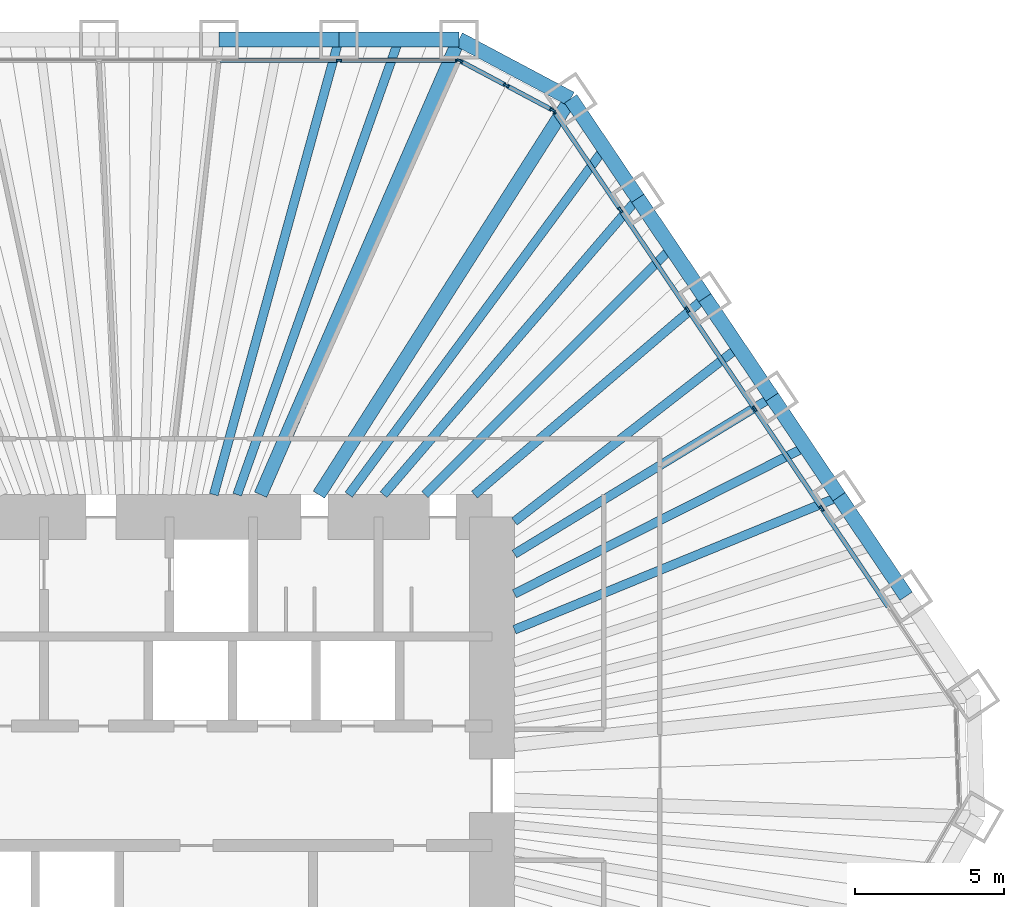
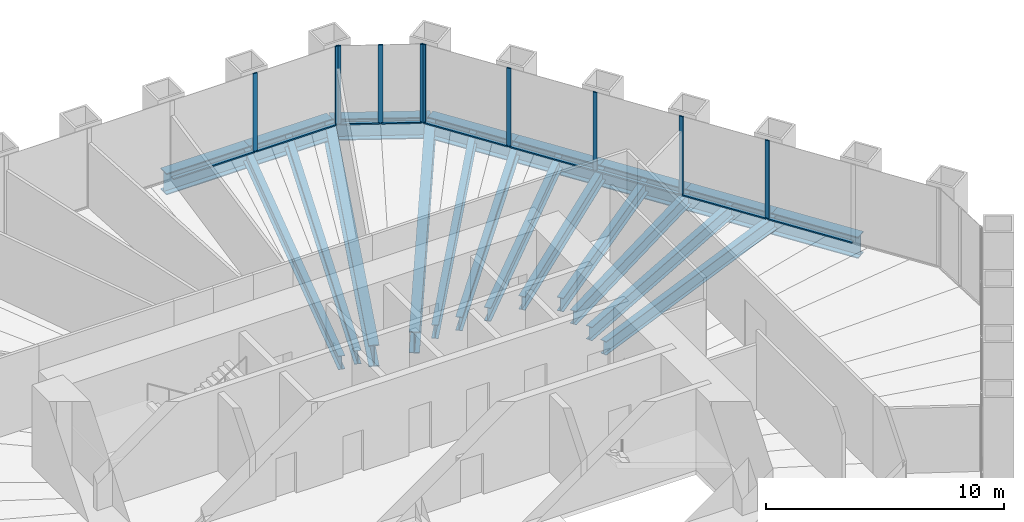
# One storey, part 7 of 13: 20 beams, 19 members, 3 elements without a shape of their own.
"""IFC4 building model written with IfcOpenShell, lengths in metres."""

from ifc_helpers import new_model, si_unit, direction, frame, origin, origin_2d, place, context, subcontext, project, spatial, rectangle, i_section, extrude, material, material_profile, profile_set, type_object, element, aggregate, save


model = new_model("IFC4")

# Units and contexts
model_context = context("Model", 3, precision=1e-05, world=origin(), true_north=direction((0.0, 1.0)))
body_context = subcontext(model_context, "Body", "Model", "MODEL_VIEW")
ifc_project = project(units=[si_unit("LENGTHUNIT", "METRE"), si_unit("AREAUNIT", "SQUARE_METRE"), si_unit("VOLUMEUNIT", "CUBIC_METRE"), si_unit("PLANEANGLEUNIT", "RADIAN"), si_unit("MASSUNIT", "GRAM", prefix="KILO")], contexts=[model_context])

# Site, building, storey
site_placement = place(None, origin())
site = spatial("IfcSite", under=ifc_project, at=site_placement, CompositionType="ELEMENT")
building_placement = place(site_placement, origin())
building = spatial("IfcBuilding", under=site, at=building_placement, Name="Qingtian Harvest Tower", CompositionType="ELEMENT")
storey_placement = place(building_placement, frame((0.0, 0.0, 145.0)))
storey = spatial("IfcBuildingStorey", under=building, at=storey_placement, Name="L30", CompositionType="ELEMENT", Elevation=145.0)

# Beams
ifc_material_1 = material(Name="Steel SM570MC", Category="steel")
ifc_material_profile_1 = material_profile(ifc_material_1, i_section(OverallWidth=0.449951171875, OverallDepth=1.10009765625, WebThickness=0.02197265625, FlangeThickness=0.044921875, at=origin_2d()), Name="H1100x450x22x45")
ifc_profile_set_1 = profile_set([ifc_material_profile_1], Name="Steel SM570MC")
beam_type_1 = type_object("IfcBeamType", Name="Corner floor beam FB8 H1100x450x22x45", PredefinedType="BEAM", material=ifc_profile_set_1)
beam_1_placement = place(storey_placement, frame((10.892822265625, 25.0, -0.719970703125), z_axis=(-0.399451016538, -0.916754539333, 0.0), x_axis=(0.916754539333, -0.399451016538, 0.0)))
element("IfcBeam", 1, at=beam_1_placement, inside=storey, type_object=beam_type_1, Name="Floor beam FB8 N6", PredefinedType="BEAM", context=body_context, shape_type="SweptSolid", body=[
    extrude(i_section(OverallWidth=0.449951171875, OverallDepth=1.10009765625, WebThickness=0.02197265625, FlangeThickness=0.044921875, at=origin_2d()), origin(), (0.0, 0.0, 1.0), 16.634765625),
])
beam_2_placement = place(storey_placement, frame((14.634765625, 23.01025390625, -0.719970703125), z_axis=(-0.536660352939, -0.843798355997, 0.0), x_axis=(0.843798355997, -0.536660352939, 0.0)))
element("IfcBeam", 2, at=beam_2_placement, inside=storey, type_object=beam_type_1, Name="Floor beam FB8 NE0", PredefinedType="BEAM", context=body_context, shape_type="SweptSolid", body=[
    extrude(i_section(OverallWidth=0.449951171875, OverallDepth=1.10009765625, WebThickness=0.02197265625, FlangeThickness=0.044921875, at=origin_2d()), origin(), (0.0, 0.0, 1.0), 15.71484375),
])
ifc_material_2 = material(Name="Steel SN490B", Category="steel")
ifc_material_profile_2 = material_profile(ifc_material_2, i_section(OverallWidth=0.300048828125, OverallDepth=0.699951171875, WebThickness=0.012939453125, FlangeThickness=0.02392578125, at=origin_2d()), Name="H700x300x13x24")
ifc_profile_set_2 = profile_set([ifc_material_profile_2], Name="Steel SN490B")
beam_type_2 = type_object("IfcBeamType", Name="Floor beam FB2 H700x300x13x24", PredefinedType="BEAM", material=ifc_profile_set_2)
beam_3_placement = place(storey_placement, frame((6.873779296875, 25.0, -0.52001953125), z_axis=(-0.265119170108, -0.964215653078, 0.0), x_axis=(0.964215653078, -0.265119170108, 0.0)))
element("IfcBeam", 3, at=beam_3_placement, inside=storey, type_object=beam_type_2, Name="Floor beam FB2 N5", PredefinedType="BEAM", context=body_context, shape_type="SweptSolid", body=[
    extrude(i_section(OverallWidth=0.300048828125, OverallDepth=0.699951171875, WebThickness=0.012939453125, FlangeThickness=0.02392578125, at=origin_2d()), origin(), (0.0, 0.0, 1.0), 15.81591796875),
])
beam_4_placement = place(storey_placement, frame((16.88232421875, 19.67822265625, -0.52001953125), z_axis=(-0.651140196702, -0.758957471957, 0.0), x_axis=(0.758957471957, -0.651140196702, 0.0)))
element("IfcBeam", 4, at=beam_4_placement, inside=storey, type_object=beam_type_2, Name="Floor beam FB2 NE1", PredefinedType="BEAM", context=body_context, shape_type="SweptSolid", body=[
    extrude(i_section(OverallWidth=0.300048828125, OverallDepth=0.699951171875, WebThickness=0.012939453125, FlangeThickness=0.02392578125, at=origin_2d()), origin(), (0.0, 0.0, 1.0), 13.081298828125),
])
beam_5_placement = place(storey_placement, frame((19.129638671875, 16.346435546875, -0.52001953125), z_axis=(-0.760241810635, -0.649640199928, 0.0), x_axis=(0.649640199928, -0.760241810635, 0.0)))
element("IfcBeam", 5, at=beam_5_placement, inside=storey, type_object=beam_type_2, Name="Floor beam FB2 NE2", PredefinedType="BEAM", context=body_context, shape_type="SweptSolid", body=[
    extrude(i_section(OverallWidth=0.300048828125, OverallDepth=0.699951171875, WebThickness=0.012939453125, FlangeThickness=0.02392578125, at=origin_2d()), origin(), (0.0, 0.0, 1.0), 10.154052734375),
])
beam_6_placement = place(storey_placement, frame((21.377197265625, 13.014404296875, -0.52001953125), z_axis=(-0.854160745245, -0.520009058846, 0.0), x_axis=(0.520009058846, -0.854160745245, 0.0)))
element("IfcBeam", 6, at=beam_6_placement, inside=storey, type_object=beam_type_2, Name="Floor beam FB2 NE3", PredefinedType="BEAM", context=body_context, shape_type="SweptSolid", body=[
    extrude(i_section(OverallWidth=0.300048828125, OverallDepth=0.699951171875, WebThickness=0.012939453125, FlangeThickness=0.02392578125, at=origin_2d()), origin(), (0.0, 0.0, 1.0), 10.10009765625),
])
beam_7_placement = place(storey_placement, frame((23.62451171875, 9.682373046875, -0.52001953125), z_axis=(-0.925304541163, -0.379224875375, 0.0), x_axis=(0.379224875375, -0.925304541163, 0.0)))
element("IfcBeam", 7, at=beam_7_placement, inside=storey, type_object=beam_type_2, Name="Floor beam FB2 NE4", PredefinedType="BEAM", context=body_context, shape_type="SweptSolid", body=[
    extrude(i_section(OverallWidth=0.300048828125, OverallDepth=0.699951171875, WebThickness=0.012939453125, FlangeThickness=0.02392578125, at=origin_2d()), origin(), (0.0, 0.0, 1.0), 11.75244140625),
])
ifc_material_3 = material(Name="Steel SN490B", Category="steel")
ifc_material_profile_3 = material_profile(ifc_material_3, i_section(OverallWidth=0.300048828125, OverallDepth=0.699951171875, WebThickness=0.012939453125, FlangeThickness=0.02392578125, at=origin_2d()), Name="H700x300x13x24")
ifc_profile_set_3 = profile_set([ifc_material_profile_3], Name="Steel SN490B")
beam_type_3 = type_object("IfcBeamType", Name="Floor joist J2 H700x300x13x24", PredefinedType="JOIST", material=ifc_profile_set_3)
beam_8_placement = place(storey_placement, frame((8.88330078125, 25.0, -0.52001953125), z_axis=(-0.334829909573, -0.94227858495, 0.0), x_axis=(0.94227858495, -0.334829909573, 0.0)))
element("IfcBeam", 8, at=beam_8_placement, inside=storey, type_object=beam_type_3, Name="Floor joist J2 N5", PredefinedType="JOIST", context=body_context, shape_type="SweptSolid", body=[
    extrude(i_section(OverallWidth=0.300048828125, OverallDepth=0.699951171875, WebThickness=0.012939453125, FlangeThickness=0.02392578125, at=origin_2d()), origin(), (0.0, 0.0, 1.0), 16.18408203125),
])
beam_9_placement = place(storey_placement, frame((15.758544921875, 21.34423828125, -0.52001953125), z_axis=(-0.593960386058, -0.804494288229, 0.0), x_axis=(0.804494288229, -0.593960386058, 0.0)))
element("IfcBeam", 9, at=beam_9_placement, inside=storey, type_object=beam_type_3, Name="Floor joist J2 NE0", PredefinedType="JOIST", context=body_context, shape_type="SweptSolid", body=[
    extrude(i_section(OverallWidth=0.300048828125, OverallDepth=0.699951171875, WebThickness=0.012939453125, FlangeThickness=0.02392578125, at=origin_2d()), origin(), (0.0, 0.0, 1.0), 14.411865234375),
])
beam_10_placement = place(storey_placement, frame((18.005859375, 18.012451171875, -0.52001953125), z_axis=(-0.706970932755, -0.707242603524, 0.0), x_axis=(0.707242603524, -0.706970932755, 0.0)))
element("IfcBeam", 10, at=beam_10_placement, inside=storey, type_object=beam_type_3, Name="Floor joist J2 NE1", PredefinedType="JOIST", context=body_context, shape_type="SweptSolid", body=[
    extrude(i_section(OverallWidth=0.300048828125, OverallDepth=0.699951171875, WebThickness=0.012939453125, FlangeThickness=0.02392578125, at=origin_2d()), origin(), (0.0, 0.0, 1.0), 11.6826171875),
])
beam_11_placement = place(storey_placement, frame((20.25341796875, 14.680419921875, -0.52001953125), z_axis=(-0.789641272199, -0.61356879096, 0.0), x_axis=(0.61356879096, -0.789641272199, 0.0)))
element("IfcBeam", 11, at=beam_11_placement, inside=storey, type_object=beam_type_3, Name="Floor joist J2 NE2", PredefinedType="JOIST", context=body_context, shape_type="SweptSolid", body=[
    extrude(i_section(OverallWidth=0.300048828125, OverallDepth=0.699951171875, WebThickness=0.012939453125, FlangeThickness=0.02392578125, at=origin_2d()), origin(), (0.0, 0.0, 1.0), 9.502197265625),
])
beam_12_placement = place(storey_placement, frame((22.500732421875, 11.348388671875, -0.52001953125), z_axis=(-0.892861323685, -0.450331718478, 0.0), x_axis=(0.450331718478, -0.892861323685, 0.0)))
element("IfcBeam", 12, at=beam_12_placement, inside=storey, type_object=beam_type_3, Name="Floor joist J2 NE3", PredefinedType="JOIST", context=body_context, shape_type="SweptSolid", body=[
    extrude(i_section(OverallWidth=0.300048828125, OverallDepth=0.699951171875, WebThickness=0.012939453125, FlangeThickness=0.02392578125, at=origin_2d()), origin(), (0.0, 0.0, 1.0), 10.920654296875),
])

# Curtain wall, members
ifc_material_4 = material(Name="Bronze-anodised aluminium curtain wall", Category="aluminium")
curtain_wall_type = type_object("IfcCurtainWallType", Name="Curtain wall CW4 office", PredefinedType="USERDEFINED", material=ifc_material_4)
curtain_wall_1_placement = place(storey_placement, origin())
curtain_wall_1 = element("IfcCurtainWall", 13, at=curtain_wall_1_placement, inside=storey, type_object=curtain_wall_type, Name="Curtain wall CW4 L30 N0-5", ObjectType="RECESSED CURTAIN WALL", PredefinedType="USERDEFINED")
ifc_material_5 = material(Name="Bronze-anodised aluminium mullion", Category="aluminium")
ifc_material_profile_4 = material_profile(ifc_material_5, rectangle(XDim=0.06494140625, YDim=0.199951171875, at=origin_2d()), Name="AL 65x200")
ifc_profile_set_4 = profile_set([ifc_material_profile_4], Name="Bronze-anodised aluminium mullion")
member_type_1 = type_object("IfcMemberType", Name="Mullion CWM 65x200", PredefinedType="MULLION", material=ifc_profile_set_4)
member_1_placement = place(storey_placement, frame((6.873779296875, 24.300048828125, 0.0), z_axis=(0.0, 0.0, 1.0), x_axis=(0.0, 1.0, 0.0)))
member_1 = element("IfcMember", 14, at=member_1_placement, type_object=member_type_1, Name="CW4 mullion 6", PredefinedType="MULLION", context=body_context, shape_type="SweptSolid", body=[
    extrude(rectangle(XDim=0.06494140625, YDim=0.199951171875, at=origin_2d()), origin(), (0.0, 0.0, 1.0), 4.030029296875),
])
member_2_placement = place(storey_placement, frame((10.8603515625, 24.300048828125, 0.0), z_axis=(0.0, 0.0, 1.0), x_axis=(0.0, 1.0, 0.0)))
member_2 = element("IfcMember", 15, at=member_2_placement, type_object=member_type_1, Name="CW4 mullion 7", PredefinedType="MULLION", context=body_context, shape_type="SweptSolid", body=[
    extrude(rectangle(XDim=0.06494140625, YDim=0.199951171875, at=origin_2d()), origin(), (0.0, 0.0, 1.0), 4.030029296875),
])

curtain_wall_2_placement = place(storey_placement, origin())
curtain_wall_2 = element("IfcCurtainWall", 16, at=curtain_wall_2_placement, inside=storey, type_object=curtain_wall_type, Name="Curtain wall CW4 L30 NC", ObjectType="RECESSED CURTAIN WALL", PredefinedType="USERDEFINED")
member_3_placement = place(storey_placement, frame((10.92138671875, 24.28466796875, 0.0), z_axis=(0.0, 0.0, 1.0), x_axis=(0.469471562786, 0.882947592859, 0.0)))
member_3 = element("IfcMember", 17, at=member_3_placement, type_object=member_type_1, Name="CW4 mullion 1", PredefinedType="MULLION", context=body_context, shape_type="SweptSolid", body=[
    extrude(rectangle(XDim=0.06494140625, YDim=0.199951171875, at=origin_2d()), origin(), (0.0, 0.0, 1.0), 4.030029296875),
])
member_4_placement = place(storey_placement, frame((12.4736328125, 23.45947265625, 0.0), z_axis=(0.0, 0.0, 1.0), x_axis=(0.469471562786, 0.882947592859, 0.0)))
member_4 = element("IfcMember", 18, at=member_4_placement, type_object=member_type_1, Name="CW4 mullion 2", PredefinedType="MULLION", context=body_context, shape_type="SweptSolid", body=[
    extrude(rectangle(XDim=0.06494140625, YDim=0.199951171875, at=origin_2d()), origin(), (0.0, 0.0, 1.0), 4.030029296875),
])
member_5_placement = place(storey_placement, frame((14.02587890625, 22.634033203125, 0.0), z_axis=(0.0, 0.0, 1.0), x_axis=(0.469471562786, 0.882947592859, 0.0)))
member_5 = element("IfcMember", 19, at=member_5_placement, type_object=member_type_1, Name="CW4 mullion 3", PredefinedType="MULLION", context=body_context, shape_type="SweptSolid", body=[
    extrude(rectangle(XDim=0.06494140625, YDim=0.199951171875, at=origin_2d()), origin(), (0.0, 0.0, 1.0), 4.030029296875),
])

curtain_wall_3_placement = place(storey_placement, origin())
curtain_wall_3 = element("IfcCurtainWall", 20, at=curtain_wall_3_placement, inside=storey, type_object=curtain_wall_type, Name="Curtain wall CW4 L30 NE0-5", ObjectType="RECESSED CURTAIN WALL", PredefinedType="USERDEFINED")
member_6_placement = place(storey_placement, frame((14.07275390625, 22.592041015625, 0.0), z_axis=(0.0, 0.0, 1.0), x_axis=(0.829037572555, 0.559192903471, 0.0)))
member_6 = element("IfcMember", 21, at=member_6_placement, type_object=member_type_1, Name="CW4 mullion 1", PredefinedType="MULLION", context=body_context, shape_type="SweptSolid", body=[
    extrude(rectangle(XDim=0.06494140625, YDim=0.199951171875, at=origin_2d()), origin(), (0.0, 0.0, 1.0), 4.030029296875),
])
member_7_placement = place(storey_placement, frame((16.302001953125, 19.286865234375, 0.0), z_axis=(0.0, 0.0, 1.0), x_axis=(0.829037572555, 0.559192903471, 0.0)))
member_7 = element("IfcMember", 22, at=member_7_placement, type_object=member_type_1, Name="CW4 mullion 2", PredefinedType="MULLION", context=body_context, shape_type="SweptSolid", body=[
    extrude(rectangle(XDim=0.06494140625, YDim=0.199951171875, at=origin_2d()), origin(), (0.0, 0.0, 1.0), 4.030029296875),
])
member_8_placement = place(storey_placement, frame((18.54931640625, 15.954833984375, 0.0), z_axis=(0.0, 0.0, 1.0), x_axis=(0.829037572555, 0.559192903471, 0.0)))
member_8 = element("IfcMember", 23, at=member_8_placement, type_object=member_type_1, Name="CW4 mullion 3", PredefinedType="MULLION", context=body_context, shape_type="SweptSolid", body=[
    extrude(rectangle(XDim=0.06494140625, YDim=0.199951171875, at=origin_2d()), origin(), (0.0, 0.0, 1.0), 4.030029296875),
])
member_9_placement = place(storey_placement, frame((20.796875, 12.623046875, 0.0), z_axis=(0.0, 0.0, 1.0), x_axis=(0.829037572555, 0.559192903471, 0.0)))
member_9 = element("IfcMember", 24, at=member_9_placement, type_object=member_type_1, Name="CW4 mullion 4", PredefinedType="MULLION", context=body_context, shape_type="SweptSolid", body=[
    extrude(rectangle(XDim=0.06494140625, YDim=0.199951171875, at=origin_2d()), origin(), (0.0, 0.0, 1.0), 4.030029296875),
])
member_10_placement = place(storey_placement, frame((23.044189453125, 9.291015625, 0.0), z_axis=(0.0, 0.0, 1.0), x_axis=(0.829037572555, 0.559192903471, 0.0)))
member_10 = element("IfcMember", 25, at=member_10_placement, type_object=member_type_1, Name="CW4 mullion 5", PredefinedType="MULLION", context=body_context, shape_type="SweptSolid", body=[
    extrude(rectangle(XDim=0.06494140625, YDim=0.199951171875, at=origin_2d()), origin(), (0.0, 0.0, 1.0), 4.030029296875),
])

# Beams
ifc_material_6 = material(Name="Steel SM570MC", Category="steel")
ifc_material_profile_5 = material_profile(ifc_material_6, i_section(OverallWidth=0.5, OverallDepth=1.10009765625, WebThickness=0.02490234375, FlangeThickness=0.050048828125, at=origin_2d()), Name="H1100x500x25x50")
ifc_profile_set_5 = profile_set([ifc_material_profile_5], Name="Steel SM570MC")
beam_type_4 = type_object("IfcBeamType", Name="Spandrel beam SB2 H1100x500x25x50", PredefinedType="SPANDREL", material=ifc_profile_set_5)
beam_13_placement = place(storey_placement, frame((2.8544921875, 25.0, -0.550048828125), z_axis=(1.0, 0.0, 0.0), x_axis=(0.0, 1.0, 0.0)))
element("IfcBeam", 26, at=beam_13_placement, inside=storey, type_object=beam_type_4, Name="Spandrel SB2 N4", PredefinedType="SPANDREL", context=body_context, shape_type="SweptSolid", body=[
    extrude(i_section(OverallWidth=0.5, OverallDepth=1.10009765625, WebThickness=0.02490234375, FlangeThickness=0.050048828125, at=origin_2d()), origin(), (0.0, 0.0, 1.0), 4.019287109375),
])
beam_14_placement = place(storey_placement, frame((6.873779296875, 25.0, -0.550048828125), z_axis=(1.0, 0.0, 0.0), x_axis=(0.0, 1.0, 0.0)))
element("IfcBeam", 27, at=beam_14_placement, inside=storey, type_object=beam_type_4, Name="Spandrel SB2 N5", PredefinedType="SPANDREL", context=body_context, shape_type="SweptSolid", body=[
    extrude(i_section(OverallWidth=0.5, OverallDepth=1.10009765625, WebThickness=0.02490234375, FlangeThickness=0.050048828125, at=origin_2d()), origin(), (0.0, 0.0, 1.0), 4.01904296875),
])
beam_15_placement = place(storey_placement, frame((10.892822265625, 25.0, -0.550048828125), z_axis=(0.882935902835, -0.469493547863, 0.0), x_axis=(0.469493547863, 0.882935902835, 0.0)))
element("IfcBeam", 28, at=beam_15_placement, inside=storey, type_object=beam_type_4, Name="Spandrel SB2 NC", PredefinedType="SPANDREL", context=body_context, shape_type="SweptSolid", body=[
    extrude(i_section(OverallWidth=0.5, OverallDepth=1.10009765625, WebThickness=0.02490234375, FlangeThickness=0.050048828125, at=origin_2d()), origin(), (0.0, 0.0, 1.0), 4.238037109375),
])
beam_16_placement = place(storey_placement, frame((14.634765625, 23.01025390625, -0.550048828125), z_axis=(0.559205752254, -0.829028905796, 0.0), x_axis=(0.829028905796, 0.559205752254, 0.0)))
element("IfcBeam", 29, at=beam_16_placement, inside=storey, type_object=beam_type_4, Name="Spandrel SB2 NE0", PredefinedType="SPANDREL", context=body_context, shape_type="SweptSolid", body=[
    extrude(i_section(OverallWidth=0.5, OverallDepth=1.10009765625, WebThickness=0.02490234375, FlangeThickness=0.050048828125, at=origin_2d()), origin(), (0.0, 0.0, 1.0), 4.019287109375),
])
beam_17_placement = place(storey_placement, frame((16.88232421875, 19.67822265625, -0.550048828125), z_axis=(0.55919216322, -0.82903807186, 0.0), x_axis=(0.82903807186, 0.55919216322, 0.0)))
element("IfcBeam", 30, at=beam_17_placement, inside=storey, type_object=beam_type_4, Name="Spandrel SB2 NE1", PredefinedType="SPANDREL", context=body_context, shape_type="SweptSolid", body=[
    extrude(i_section(OverallWidth=0.5, OverallDepth=1.10009765625, WebThickness=0.02490234375, FlangeThickness=0.050048828125, at=origin_2d()), origin(), (0.0, 0.0, 1.0), 4.018798828125),
])
beam_18_placement = place(storey_placement, frame((19.129638671875, 16.346435546875, -0.550048828125), z_axis=(0.559205752254, -0.829028905796, 0.0), x_axis=(0.829028905796, 0.559205752254, 0.0)))
element("IfcBeam", 31, at=beam_18_placement, inside=storey, type_object=beam_type_4, Name="Spandrel SB2 NE2", PredefinedType="SPANDREL", context=body_context, shape_type="SweptSolid", body=[
    extrude(i_section(OverallWidth=0.5, OverallDepth=1.10009765625, WebThickness=0.02490234375, FlangeThickness=0.050048828125, at=origin_2d()), origin(), (0.0, 0.0, 1.0), 4.019287109375),
])
for number, where, z_axis, x_axis, name in (
    (32, (21.377197265625, 13.014404296875, -0.550048828125), (0.55916400171, -0.829057066306, 0.0), (0.829057066306, 0.55916400171, 0.0), "Spandrel SB2 NE3"),
    (33, (23.62451171875, 9.682373046875, -0.550048828125), (0.559233913953, -0.829009909159, 0.0), (0.829009909159, 0.559233913953, 0.0), "Spandrel SB2 NE4"),
):
    element("IfcBeam", number, at=place(storey_placement, frame(where, z_axis=z_axis, x_axis=x_axis)), inside=storey, type_object=beam_type_4, Name=name, PredefinedType="SPANDREL", context=body_context, shape_type="SweptSolid", body=[
        extrude(i_section(OverallWidth=0.5, OverallDepth=1.10009765625, WebThickness=0.02490234375, FlangeThickness=0.050048828125, at=origin_2d()), origin(), (0.0, 0.0, 1.0), 4.01904296875),
    ])

# Member
ifc_material_7 = material(Name="Bronze-anodised aluminium transom", Category="aluminium")
ifc_material_profile_6 = material_profile(ifc_material_7, rectangle(XDim=0.14990234375, YDim=0.06494140625, at=origin_2d()), Name="AL 65x150")
ifc_profile_set_6 = profile_set([ifc_material_profile_6], Name="Bronze-anodised aluminium transom")
member_type_2 = type_object("IfcMemberType", Name="Transom CWT 65x150", PredefinedType="USERDEFINED", material=ifc_profile_set_6)
member_11_placement = place(storey_placement, frame((2.886962890625, 24.300048828125, 0.032470703125), z_axis=(1.0, 0.0, 0.0), x_axis=(0.0, 1.0, 0.0)))
member_11 = element("IfcMember", 34, at=member_11_placement, type_object=member_type_2, Name="CW4 transom 5.1", ObjectType="TRANSOM", PredefinedType="USERDEFINED", context=body_context, shape_type="SweptSolid", body=[
    extrude(rectangle(XDim=0.14990234375, YDim=0.06494140625, at=origin_2d()), origin(), (0.0, 0.0, 1.0), 3.9541015625),
])

member_12_placement = place(storey_placement, frame((6.90625, 24.300048828125, 0.032470703125), z_axis=(1.0, 0.0, 0.0), x_axis=(0.0, 1.0, 0.0)))
member_12 = element("IfcMember", 35, at=member_12_placement, type_object=member_type_2, Name="CW4 transom 6.1", ObjectType="TRANSOM", PredefinedType="USERDEFINED", context=body_context, shape_type="SweptSolid", body=[
    extrude(rectangle(XDim=0.14990234375, YDim=0.06494140625, at=origin_2d()), origin(), (0.0, 0.0, 1.0), 3.92138671875),
])

aggregate(curtain_wall_1, [member_1, member_2, member_11, member_12])

member_13_placement = place(storey_placement, frame((10.9501953125, 24.26953125, 0.032470703125), z_axis=(0.882895287784, -0.469569921108, 0.0), x_axis=(0.469569921108, 0.882895287784, 0.0)))
member_13 = element("IfcMember", 36, at=member_13_placement, type_object=member_type_2, Name="CW4 transom 1.1", ObjectType="TRANSOM", PredefinedType="USERDEFINED", context=body_context, shape_type="SweptSolid", body=[
    extrude(rectangle(XDim=0.14990234375, YDim=0.06494140625, at=origin_2d()), origin(), (0.0, 0.0, 1.0), 1.69287109375),
])

member_14_placement = place(storey_placement, frame((12.502197265625, 23.444091796875, 0.032470703125), z_axis=(0.882986854304, -0.469397715297, 0.0), x_axis=(0.469397715297, 0.882986854304, 0.0)))
member_14 = element("IfcMember", 37, at=member_14_placement, type_object=member_type_2, Name="CW4 transom 2.1", ObjectType="TRANSOM", PredefinedType="USERDEFINED", context=body_context, shape_type="SweptSolid", body=[
    extrude(rectangle(XDim=0.14990234375, YDim=0.06494140625, at=origin_2d()), origin(), (0.0, 0.0, 1.0), 1.69287109375),
])

aggregate(curtain_wall_2, [member_3, member_4, member_5, member_13, member_14])

member_15_placement = place(storey_placement, frame((14.0908203125, 22.56494140625, 0.032470703125), z_axis=(0.55920336949, -0.82903051304, 0.0), x_axis=(0.82903051304, 0.55920336949, 0.0)))
member_15 = element("IfcMember", 38, at=member_15_placement, type_object=member_type_2, Name="CW4 transom 1.1", ObjectType="TRANSOM", PredefinedType="USERDEFINED", context=body_context, shape_type="SweptSolid", body=[
    extrude(rectangle(XDim=0.14990234375, YDim=0.06494140625, at=origin_2d()), origin(), (0.0, 0.0, 1.0), 3.92138671875),
])

member_16_placement = place(storey_placement, frame((16.320068359375, 19.260009765625, 0.032470703125), z_axis=(0.55920878069, -0.829026863014, 0.0), x_axis=(0.829026863014, 0.55920878069, 0.0)))
member_16 = element("IfcMember", 39, at=member_16_placement, type_object=member_type_2, Name="CW4 transom 2.1", ObjectType="TRANSOM", PredefinedType="USERDEFINED", context=body_context, shape_type="SweptSolid", body=[
    extrude(rectangle(XDim=0.14990234375, YDim=0.06494140625, at=origin_2d()), origin(), (0.0, 0.0, 1.0), 3.9541015625),
])

member_17_placement = place(storey_placement, frame((18.567626953125, 15.927978515625, 0.032470703125), z_axis=(0.559166343236, -0.82905548704, 0.0), x_axis=(0.82905548704, 0.559166343236, 0.0)))
member_17 = element("IfcMember", 40, at=member_17_placement, type_object=member_type_2, Name="CW4 transom 3.1", ObjectType="TRANSOM", PredefinedType="USERDEFINED", context=body_context, shape_type="SweptSolid", body=[
    extrude(rectangle(XDim=0.14990234375, YDim=0.06494140625, at=origin_2d()), origin(), (0.0, 0.0, 1.0), 3.9541015625),
])

member_18_placement = place(storey_placement, frame((20.81494140625, 12.595947265625, 0.032470703125), z_axis=(0.55920878069, -0.829026863014, 0.0), x_axis=(0.829026863014, 0.55920878069, 0.0)))
member_18 = element("IfcMember", 41, at=member_18_placement, type_object=member_type_2, Name="CW4 transom 4.1", ObjectType="TRANSOM", PredefinedType="USERDEFINED", context=body_context, shape_type="SweptSolid", body=[
    extrude(rectangle(XDim=0.14990234375, YDim=0.06494140625, at=origin_2d()), origin(), (0.0, 0.0, 1.0), 3.9541015625),
])

member_19_placement = place(storey_placement, frame((23.0625, 9.26416015625, 0.032470703125), z_axis=(0.559166343236, -0.82905548704, 0.0), x_axis=(0.82905548704, 0.559166343236, 0.0)))
member_19 = element("IfcMember", 42, at=member_19_placement, type_object=member_type_2, Name="CW4 transom 5.1", ObjectType="TRANSOM", PredefinedType="USERDEFINED", context=body_context, shape_type="SweptSolid", body=[
    extrude(rectangle(XDim=0.14990234375, YDim=0.06494140625, at=origin_2d()), origin(), (0.0, 0.0, 1.0), 3.9541015625),
])

aggregate(curtain_wall_3, [member_6, member_7, member_8, member_9, member_10, member_15, member_16, member_17, member_18, member_19])

save(model, "model.ifc")
